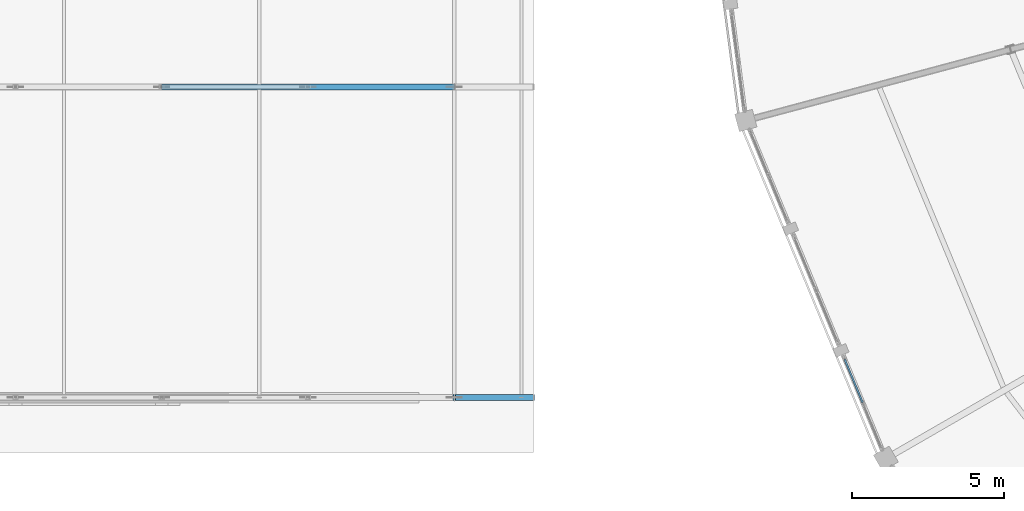
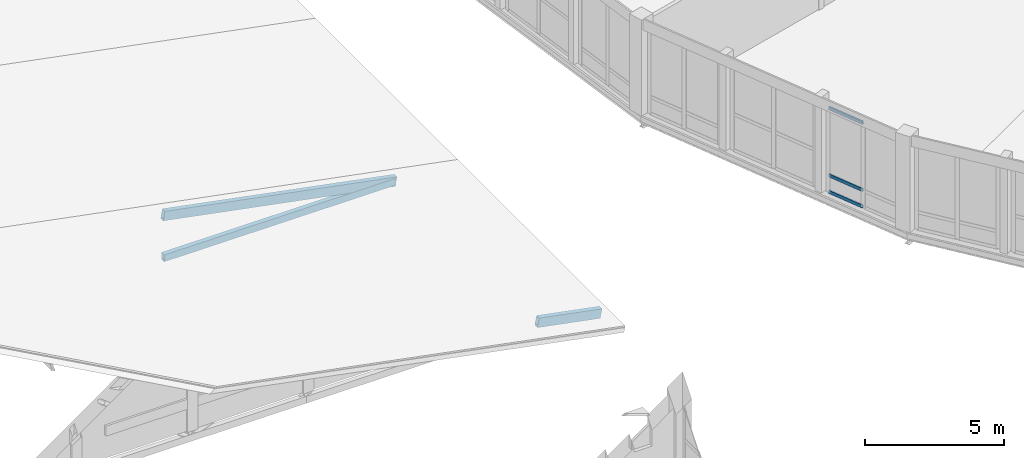
# One storey, part 30 of 200: 6 members, 1 element without a shape of its own.
"""IFC4 building model written with IfcOpenShell, lengths in metres."""

from ifc_helpers import new_model, si_unit, direction, frame, origin, origin_2d, place, context, subcontext, project, spatial, hollow_rectangle, extrude, material, material_profile, profile_set, type_object, element, aggregate, save


model = new_model("IFC4")

# Units and contexts
model_context = context("Model", 3, precision=1e-05, world=origin(), true_north=direction((0.0, 1.0)))
body_context = subcontext(model_context, "Body", "Model", "MODEL_VIEW")
ifc_project = project(units=[si_unit("LENGTHUNIT", "METRE"), si_unit("AREAUNIT", "SQUARE_METRE"), si_unit("VOLUMEUNIT", "CUBIC_METRE"), si_unit("PLANEANGLEUNIT", "RADIAN"), si_unit("MASSUNIT", "GRAM", prefix="KILO")], contexts=[model_context])

# Site, building, storey
site_placement = place(None, origin())
site = spatial("IfcSite", under=ifc_project, at=site_placement, CompositionType="ELEMENT")
building_placement = place(site_placement, origin())
building = spatial("IfcBuilding", under=site, at=building_placement, Name="Vondelvale Polytechnic", CompositionType="ELEMENT")
storey_placement = place(building_placement, frame((0.0, 0.0, 13.800048828125)))
storey = spatial("IfcBuildingStorey", under=building, at=storey_placement, Name="L03", CompositionType="ELEMENT", Elevation=13.800048828125)

# Curtain wall, members
ifc_material_1 = material(Name="Glulam GL18 structural Tasmanian oak (fb = 42 MPa)", Category="wood")
curtain_wall_type = type_object("IfcCurtainWallType", Name="CW-RING-OUTER", PredefinedType="NOTDEFINED", material=ifc_material_1)
curtain_wall_placement = place(storey_placement, origin())
curtain_wall = element("IfcCurtainWall", 1, at=curtain_wall_placement, inside=storey, type_object=curtain_wall_type, Name="L03 architectural curtain wall CW-04-290", PredefinedType="NOTDEFINED")
ifc_material_2 = material(Name="Anodised extruded aluminium 6063-T6", Category="aluminium")
ifc_material_profile_1 = material_profile(ifc_material_2, hollow_rectangle(XDim=0.06005859375, YDim=0.139892578125, WallThickness=0.00341796875, at=origin_2d()), Name="CW-TRN-140x60")
ifc_profile_set_1 = profile_set([ifc_material_profile_1], Name="Anodised extruded aluminium 6063-T6")
member_type_1 = type_object("IfcMemberType", Name="CW-TRN-60x140", PredefinedType="USERDEFINED", material=ifc_profile_set_1)
member_1_placement = place(storey_placement, frame((60.814697265625, 52.254638671875, 0.030029296875), z_axis=(0.382643045304, -0.923896260346, 0.0), x_axis=(0.923896260346, 0.382643045304, 0.0)))
member_1 = element("IfcMember", 2, at=member_1_placement, type_object=member_type_1, Name="CW-04-290 transom 1.1", ObjectType="TRANSOM", PredefinedType="USERDEFINED", context=body_context, shape_type="SweptSolid", body=[
    extrude(hollow_rectangle(XDim=0.06005859375, YDim=0.139892578125, WallThickness=0.00341796875, at=origin_2d()), origin(), (0.0, 0.0, 1.0), 1.530029296875),
])
member_2_placement = place(storey_placement, frame((60.814697265625, 52.254638671875, 0.75), z_axis=(0.382643045304, -0.923896260346, 0.0), x_axis=(0.923896260346, 0.382643045304, 0.0)))
member_2 = element("IfcMember", 3, at=member_2_placement, type_object=member_type_1, Name="CW-04-290 transom 1.2", ObjectType="TRANSOM", PredefinedType="USERDEFINED", context=body_context, shape_type="SweptSolid", body=[
    extrude(hollow_rectangle(XDim=0.06005859375, YDim=0.139892578125, WallThickness=0.00341796875, at=origin_2d()), origin(), (0.0, 0.0, 1.0), 1.530029296875),
])
member_3_placement = place(storey_placement, frame((60.814697265625, 52.254638671875, 3.68994140625), z_axis=(0.382643045304, -0.923896260346, 0.0), x_axis=(0.923896260346, 0.382643045304, 0.0)))
member_3 = element("IfcMember", 4, at=member_3_placement, type_object=member_type_1, Name="CW-04-290 transom 1.3", ObjectType="TRANSOM", PredefinedType="USERDEFINED", context=body_context, shape_type="SweptSolid", body=[
    extrude(hollow_rectangle(XDim=0.06005859375, YDim=0.139892578125, WallThickness=0.00341796875, at=origin_2d()), origin(), (0.0, 0.0, 1.0), 1.530029296875),
])
aggregate(curtain_wall, [member_1, member_2, member_3])

# Members
ifc_material_3 = material(Name="Steel C350L0 (fy = 350 MPa)", Category="steel")
ifc_material_profile_2 = material_profile(ifc_material_3, hollow_rectangle(XDim=0.199951171875, YDim=0.300048828125, WallThickness=0.008056640625, at=origin_2d()), Name="300x200x8.0RHS")
ifc_profile_set_2 = profile_set([ifc_material_profile_2], Name="Steel C350L0 (fy = 350 MPa)")
member_type_2 = type_object("IfcMemberType", Name="ROOF TRUSS BOT CHORD 300RHS", PredefinedType="CHORD", material=ifc_profile_set_2)
member_4_placement = place(storey_placement, frame((38.39990234375, 61.199951171875, -0.420166015625), z_axis=(1.0, 0.0, 0.0), x_axis=(0.0, 1.0, 0.0)))
element("IfcMember", 5, at=member_4_placement, inside=storey, type_object=member_type_2, Name="ROOF TRUSS TR-02 bottom chord 3", PredefinedType="CHORD", context=body_context, shape_type="SweptSolid", body=[
    extrude(hollow_rectangle(XDim=0.199951171875, YDim=0.300048828125, WallThickness=0.008056640625, at=origin_2d()), origin(), (0.0, 0.0, 1.0), 9.60009765625),
])
ifc_material_profile_3 = material_profile(ifc_material_3, hollow_rectangle(XDim=0.199951171875, YDim=0.39990234375, WallThickness=0.010009765625, at=origin_2d()), Name="400x200x10.0RHS")
ifc_profile_set_3 = profile_set([ifc_material_profile_3], Name="Steel C350L0 (fy = 350 MPa)")
member_type_3 = type_object("IfcMemberType", Name="ROOF TRUSS TOP CHORD 400RHS", PredefinedType="CHORD", material=ifc_profile_set_3)
member_5_placement = place(storey_placement, frame((48.0, 51.0, -0.420166015625), z_axis=(0.981939305936, 0.0, -0.189196193031), x_axis=(0.0, 1.0, 0.0)))
element("IfcMember", 6, at=member_5_placement, inside=storey, type_object=member_type_3, Name="ROOF TRUSS TR-01 top chord 6", PredefinedType="CHORD", context=body_context, shape_type="SweptSolid", body=[
    extrude(hollow_rectangle(XDim=0.199951171875, YDim=0.39990234375, WallThickness=0.010009765625, at=origin_2d()), origin(), (0.0, 0.0, 1.0), 2.64794921875),
])
member_6_placement = place(storey_placement, frame((38.39990234375, 61.199951171875, 1.429931640625), z_axis=(0.981931919064, 0.0, -0.189234527304), x_axis=(0.0, 1.0, 0.0)))
element("IfcMember", 7, at=member_6_placement, inside=storey, type_object=member_type_3, Name="ROOF TRUSS TR-02 top chord 5", PredefinedType="CHORD", context=body_context, shape_type="SweptSolid", body=[
    extrude(hollow_rectangle(XDim=0.199951171875, YDim=0.39990234375, WallThickness=0.010009765625, at=origin_2d()), origin(), (0.0, 0.0, 1.0), 9.77685546875),
])

save(model, "model.ifc")
